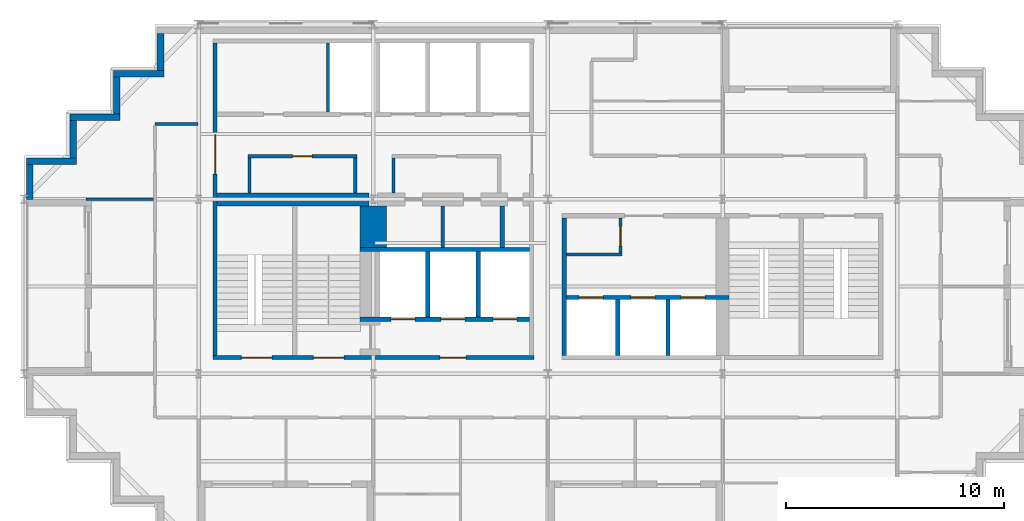
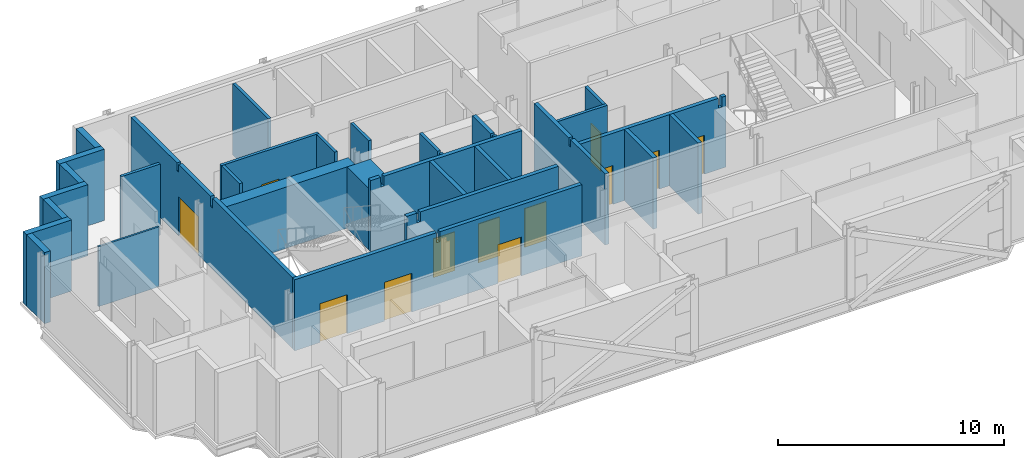
# One storey, part 5 of 9: 30 walls, 12 doors, 12 openings.
"""IFC4 building model written with IfcOpenShell, lengths in metres."""

from ifc_helpers import new_model, si_unit, direction, frame, frame_2d, origin, place, context, subcontext, project, spatial, polyline, rectangle, outline, extrude, material, layer, layer_set, type_object, element, fill, save


model = new_model("IFC4")

# Units and contexts
model_context = context("Model", 3, precision=1e-05, world=origin(), true_north=direction((0.0, 1.0)))
body_context = subcontext(model_context, "Body", "Model", "MODEL_VIEW")
ifc_project = project(units=[si_unit("LENGTHUNIT", "METRE"), si_unit("AREAUNIT", "SQUARE_METRE"), si_unit("VOLUMEUNIT", "CUBIC_METRE"), si_unit("PLANEANGLEUNIT", "RADIAN"), si_unit("MASSUNIT", "GRAM", prefix="KILO")], contexts=[model_context])

# Site, building, storey
site_placement = place(None, origin())
site = spatial("IfcSite", under=ifc_project, at=site_placement, CompositionType="ELEMENT")
building_placement = place(site_placement, origin())
building = spatial("IfcBuilding", under=site, at=building_placement, Name="Immortelle Media Tower", CompositionType="ELEMENT")
storey_placement = place(building_placement, frame((0.0, 0.0, 287.0)))
storey = spatial("IfcBuildingStorey", under=building, at=storey_placement, Name="L63", CompositionType="ELEMENT", Elevation=287.0)

# Wall
ifc_material_1 = material(Name="Fire-rated gypsum board", Category="gypsum")
ifc_layer_1 = layer(ifc_material_1, 0.02490234375)
ifc_material_2 = material(Name="Steel ASTM A653 SS Gr 50 stud frame with mineral wool", Category="steel")
ifc_layer_2 = layer(ifc_material_2, 0.10009765625)
ifc_layer_3 = layer(ifc_material_1, 0.02490234375)
ifc_layer_set_1 = layer_set([ifc_layer_1, ifc_layer_2, ifc_layer_3], Name="Steel ASTM A653 SS Gr 50 stud frame with mineral wool")
wall_type_1 = type_object("IfcWallType", Name="Core partition 150", PredefinedType="PARTITIONING", material=ifc_layer_set_1)
wall_1_placement = place(storey_placement, frame((10.324951171875, 16.300048828125, 0.0), z_axis=(0.0, 0.0, 1.0), x_axis=(0.0, 1.0, 0.0)))
element("IfcWall", 1, at=wall_1_placement, inside=storey, type_object=wall_type_1, Name="Core partition SW", PredefinedType="PARTITIONING", context=body_context, shape_type="SweptSolid", body=[
    extrude(rectangle(XDim=1.599853515625, YDim=0.14990234375, at=frame_2d((0.7998046875, 0.0))), origin(), (0.0, 0.0, 1.0), 3.85009765625),
])

# Wall, opening, door
wall_2_placement = place(storey_placement, frame((10.25, 17.97509765625, 0.0), z_axis=(0.0, 0.0, 1.0), x_axis=(1.0, 0.0, 0.0)))
wall_2 = element("IfcWall", 2, at=wall_2_placement, inside=storey, type_object=wall_type_1, Name="Core partition SW", PredefinedType="PARTITIONING", context=body_context, shape_type="SweptSolid", body=[
    extrude(rectangle(XDim=5.0, YDim=0.14990234375, at=frame_2d((2.5, 0.0))), origin(), (0.0, 0.0, 1.0), 3.85009765625),
])
opening_1_placement = place(wall_2_placement, frame((2.949951171875, 0.0, 0.0), z_axis=(0.0, 0.0, 1.0), x_axis=(-1.0, 0.0, 0.0)))
opening_1 = element("IfcOpeningElement", 3, at=opening_1_placement, cuts=wall_2, Name="Opening X5-K004", PredefinedType="OPENING", context=body_context, shape_type="SweptSolid", body=[
    extrude(rectangle(XDim=0.89990234375, YDim=2.10009765625, at=frame_2d((0.449951171875, 1.050048828125))), frame((0.0, 0.0849609375, 0.0), z_axis=(0.0, -1.0, 0.0), x_axis=(1.0, 0.0, 0.0)), (0.0, 0.0, 1.0), 0.169921875),
])
ifc_material_3 = material(Name="Timber", Category="wood")
door_type_1 = type_object("IfcDoorType", Name="Room door 900 x 2100", OperationType="NOTDEFINED", PredefinedType="NOTDEFINED", material=ifc_material_3)
door_1_placement = place(opening_1_placement, origin())
door_1 = element("IfcDoor", 4, at=door_1_placement, inside=storey, type_object=door_type_1, Name="Room X5-K004", OperationType="SINGLE_SWING_RIGHT", OverallHeight=2.10009765625, OverallWidth=0.89990234375, PredefinedType="NOTDEFINED", context=body_context, shape_type="SweptSolid", body=[
    extrude(rectangle(XDim=0.89990234375, YDim=2.10009765625, at=frame_2d((0.449951171875, 1.050048828125))), frame((0.0, 0.02490234375, 0.0), z_axis=(0.0, -1.0, 0.0), x_axis=(1.0, 0.0, 0.0)), (0.0, 0.0, 1.0), 0.050048828125),
])
fill(opening_1, door_1)

# Walls
wall_3_placement = place(storey_placement, frame((13.925048828125, 20.0, 0.0), z_axis=(0.0, 0.0, 1.0), x_axis=(0.0, 1.0, 0.0)))
element("IfcWall", 5, at=wall_3_placement, inside=storey, type_object=wall_type_1, Name="Core partition SW", PredefinedType="PARTITIONING", context=body_context, shape_type="SweptSolid", body=[
    extrude(rectangle(XDim=3.14990234375, YDim=0.14990234375, at=frame_2d((1.574951171875, 0.0))), origin(), (0.0, 0.0, 1.0), 3.85009765625),
])
for number, where, z_axis, x_axis, name in (
    (6, (15.175048828125, 16.300048828125, 0.0), (0.0, 0.0, 1.0), (0.0, 1.0, 0.0), "Core partition SW"),
    (7, (16.925048828125, 16.300048828125, 0.0), (0.0, 0.0, 1.0), (0.0, 1.0, 0.0), "Core partition SW"),
):
    element("IfcWall", number, at=place(storey_placement, frame(where, z_axis=z_axis, x_axis=x_axis)), inside=storey, type_object=wall_type_1, Name=name, PredefinedType="PARTITIONING", context=body_context, shape_type="SweptSolid", body=[
        extrude(rectangle(XDim=1.599853515625, YDim=0.14990234375, at=frame_2d((0.7998046875, 0.0))), origin(), (0.0, 0.0, 1.0), 3.85009765625),
    ])
wall_4_placement = place(storey_placement, frame((19.175048828125, 13.800048828125, 0.0), z_axis=(0.0, 0.0, 1.0), x_axis=(0.0, 1.0, 0.0)))
element("IfcWall", 8, at=wall_4_placement, inside=storey, type_object=wall_type_1, Name="Core partition SW", PredefinedType="PARTITIONING", context=body_context, shape_type="SweptSolid", body=[
    extrude(outline(polyline([(0.0, 0.0), (1.89990234375, 0.0), (1.89990234375, 3.85009765625), (0.27490234375, 3.85009765625), (0.27392578125, 3.43994140625), (0.1259765625, 3.43994140625), (0.125, 3.85009765625), (0.0, 3.85009765625), (0.0, 0.0)])), frame((0.0, 0.074951171875, 0.0), z_axis=(0.0, -1.0, 0.0), x_axis=(1.0, 0.0, 0.0)), (0.0, 0.0, 1.0), 0.14990234375),
])
wall_5_placement = place(storey_placement, frame((24.85009765625, 13.47509765625, 0.0), z_axis=(0.0, 0.0, 1.0), x_axis=(1.0, 0.0, 0.0)))
element("IfcWall", 9, at=wall_5_placement, inside=storey, type_object=wall_type_1, Name="Core partition SE", PredefinedType="PARTITIONING", context=body_context, shape_type="SweptSolid", body=[
    extrude(rectangle(XDim=2.5498046875, YDim=0.14990234375, at=frame_2d((1.27490234375, 0.0))), origin(), (0.0, 0.0, 1.0), 3.85009765625),
])

# Wall, opening, door
wall_6_placement = place(storey_placement, frame((27.324951171875, 13.550048828125, 0.0), z_axis=(0.0, 0.0, 1.0), x_axis=(0.0, 1.0, 0.0)))
wall_6 = element("IfcWall", 10, at=wall_6_placement, inside=storey, type_object=wall_type_1, Name="Core partition SE", PredefinedType="PARTITIONING", context=body_context, shape_type="SweptSolid", body=[
    extrude(rectangle(XDim=1.599853515625, YDim=0.14990234375, at=frame_2d((0.7998046875, 0.0))), origin(), (0.0, 0.0, 1.0), 3.85009765625),
])
opening_2_placement = place(wall_6_placement, frame((0.300048828125, 0.0, 0.0)))
opening_2 = element("IfcOpeningElement", 11, at=opening_2_placement, cuts=wall_6, Name="Opening X5-K021", PredefinedType="OPENING", context=body_context, shape_type="SweptSolid", body=[
    extrude(rectangle(XDim=0.89990234375, YDim=2.10009765625, at=frame_2d((0.449951171875, 1.050048828125))), frame((0.0, 0.0849609375, 0.0), z_axis=(0.0, -1.0, 0.0), x_axis=(1.0, 0.0, 0.0)), (0.0, 0.0, 1.0), 0.169921875),
])
ifc_material_4 = material(Name="Galvanised steel door leaf and frame ASTM A653", Category="steel")
door_type_2 = type_object("IfcDoorType", Name="Service door 900 x 2100", OperationType="NOTDEFINED", PredefinedType="NOTDEFINED", material=ifc_material_4)
door_2_placement = place(opening_2_placement, origin())
door_2 = element("IfcDoor", 12, at=door_2_placement, inside=storey, type_object=door_type_2, Name="Service X5-K021", OperationType="SINGLE_SWING_LEFT", OverallHeight=2.10009765625, OverallWidth=0.89990234375, PredefinedType="NOTDEFINED", context=body_context, shape_type="SweptSolid", body=[
    extrude(rectangle(XDim=0.89990234375, YDim=2.10009765625, at=frame_2d((0.449951171875, 1.050048828125))), frame((0.0, 0.02490234375, 0.0), z_axis=(0.0, -1.0, 0.0), x_axis=(1.0, 0.0, 0.0)), (0.0, 0.0, 1.0), 0.050048828125),
])
fill(opening_2, door_2)

# Wall, openings, doors
ifc_layer_4 = layer(ifc_material_1, 0.03759765625)
ifc_layer_5 = layer(ifc_material_2, 0.125)
ifc_layer_6 = layer(ifc_material_1, 0.03759765625)
ifc_layer_set_2 = layer_set([ifc_layer_4, ifc_layer_5, ifc_layer_6], Name="Steel ASTM A653 SS Gr 50 stud frame with mineral wool")
wall_type_2 = type_object("IfcWallType", Name="Core shaft wall 200", PredefinedType="PARTITIONING", material=ifc_layer_set_2)
wall_7_placement = place(storey_placement, frame((15.39990234375, 10.5, 0.0), z_axis=(0.0, 0.0, 1.0), x_axis=(1.0, 0.0, 0.0)))
wall_7 = element("IfcWall", 13, at=wall_7_placement, inside=storey, type_object=wall_type_2, Name="Core shaft wall SW", PredefinedType="PARTITIONING", context=body_context, shape_type="SweptSolid", body=[
    extrude(outline(polyline([(0.0, 0.0), (7.75, 0.0), (7.75, 3.85009765625), (0.6875, 3.85009765625), (0.6865234375, 3.318115234375), (0.513427734375, 3.318115234375), (0.512451171875, 3.85009765625), (0.0, 3.85009765625), (0.0, 0.0)])), frame((0.0, 0.10009765625, 0.0), z_axis=(0.0, -1.0, 0.0), x_axis=(1.0, 0.0, 0.0)), (0.0, 0.0, 1.0), 0.199951171875),
])
opening_3_placement = place(wall_7_placement, frame((1.39990234375, 0.0, 0.0)))
opening_3 = element("IfcOpeningElement", 14, at=opening_3_placement, cuts=wall_7, Name="Opening LD", PredefinedType="OPENING", context=body_context, shape_type="SweptSolid", body=[
    extrude(rectangle(XDim=1.10009765625, YDim=2.10009765625, at=frame_2d((0.550048828125, 1.050048828125))), frame((0.0, 0.10986328125, 0.0), z_axis=(0.0, -1.0, 0.0), x_axis=(1.0, 0.0, 0.0)), (0.0, 0.0, 1.0), 0.219970703125),
])
opening_4_placement = place(wall_7_placement, frame((3.699951171875, 0.0, 0.0)))
opening_4 = element("IfcOpeningElement", 15, at=opening_4_placement, cuts=wall_7, Name="Opening LD", PredefinedType="OPENING", context=body_context, shape_type="SweptSolid", body=[
    extrude(rectangle(XDim=1.10009765625, YDim=2.10009765625, at=frame_2d((0.550048828125, 1.050048828125))), frame((0.0, 0.10986328125, 0.0), z_axis=(0.0, -1.0, 0.0), x_axis=(1.0, 0.0, 0.0)), (0.0, 0.0, 1.0), 0.219970703125),
])
opening_5_placement = place(wall_7_placement, frame((6.074951171875, 0.0, 0.0)))
opening_5 = element("IfcOpeningElement", 16, at=opening_5_placement, cuts=wall_7, Name="Opening LD", PredefinedType="OPENING", context=body_context, shape_type="SweptSolid", body=[
    extrude(rectangle(XDim=1.10009765625, YDim=2.10009765625, at=frame_2d((0.550048828125, 1.050048828125))), frame((0.0, 0.10986328125, 0.0), z_axis=(0.0, -1.0, 0.0), x_axis=(1.0, 0.0, 0.0)), (0.0, 0.0, 1.0), 0.219970703125),
])
ifc_material_5 = material(Name="Stainless steel AISI 304", Category="steel")
door_type_3 = type_object("IfcDoorType", Name="Landing door 1100 x 2100", OperationType="SLIDING_TO_LEFT", PredefinedType="NOTDEFINED", material=ifc_material_5)
door_3_placement = place(opening_3_placement, origin())
door_3 = element("IfcDoor", 17, at=door_3_placement, inside=storey, type_object=door_type_3, Name="Landing door FF1 L63", OperationType="SLIDING_TO_LEFT", OverallHeight=2.10009765625, OverallWidth=1.10009765625, PredefinedType="NOTDEFINED", context=body_context, shape_type="SweptSolid", body=[
    extrude(rectangle(XDim=1.10009765625, YDim=2.10009765625, at=frame_2d((0.550048828125, 1.050048828125))), frame((0.0, 0.02490234375, 0.0), z_axis=(0.0, -1.0, 0.0), x_axis=(1.0, 0.0, 0.0)), (0.0, 0.0, 1.0), 0.050048828125),
])
fill(opening_3, door_3)
door_4_placement = place(opening_4_placement, origin())
door_4 = element("IfcDoor", 18, at=door_4_placement, inside=storey, type_object=door_type_3, Name="Landing door FF2 L63", OperationType="SLIDING_TO_LEFT", OverallHeight=2.10009765625, OverallWidth=1.10009765625, PredefinedType="NOTDEFINED", context=body_context, shape_type="SweptSolid", body=[
    extrude(rectangle(XDim=1.10009765625, YDim=2.10009765625, at=frame_2d((0.550048828125, 1.050048828125))), frame((0.0, 0.02490234375, 0.0), z_axis=(0.0, -1.0, 0.0), x_axis=(1.0, 0.0, 0.0)), (0.0, 0.0, 1.0), 0.050048828125),
])
fill(opening_4, door_4)
door_5_placement = place(opening_5_placement, origin())
door_5 = element("IfcDoor", 19, at=door_5_placement, inside=storey, type_object=door_type_3, Name="Landing door FF3 L63", OperationType="SLIDING_TO_LEFT", OverallHeight=2.10009765625, OverallWidth=1.10009765625, PredefinedType="NOTDEFINED", context=body_context, shape_type="SweptSolid", body=[
    extrude(rectangle(XDim=1.10009765625, YDim=2.10009765625, at=frame_2d((0.550048828125, 1.050048828125))), frame((0.0, 0.02490234375, 0.0), z_axis=(0.0, -1.0, 0.0), x_axis=(1.0, 0.0, 0.0)), (0.0, 0.0, 1.0), 0.050048828125),
])
fill(opening_5, door_5)

# Walls
wall_8_placement = place(storey_placement, frame((15.39990234375, 13.699951171875, 0.0), z_axis=(0.0, 0.0, 1.0), x_axis=(1.0, 0.0, 0.0)))
element("IfcWall", 20, at=wall_8_placement, inside=storey, type_object=wall_type_2, Name="Core shaft wall SW", PredefinedType="PARTITIONING", context=body_context, shape_type="SweptSolid", body=[
    extrude(outline(polyline([(0.0, 0.0), (7.75, 0.0), (7.75, 3.85009765625), (0.6875, 3.85009765625), (0.6865234375, 3.318115234375), (0.513427734375, 3.318115234375), (0.512451171875, 3.85009765625), (0.0, 3.85009765625), (0.0, 0.0)])), frame((0.0, 0.10009765625, 0.0), z_axis=(0.0, -1.0, 0.0), x_axis=(1.0, 0.0, 0.0)), (0.0, 0.0, 1.0), 0.199951171875),
])
for number, where, z_axis, x_axis, name in (
    (21, (18.5, 10.60009765625, 0.0), (0.0, 0.0, 1.0), (0.0, 1.0, 0.0), "Core shaft wall SW"),
    (22, (20.800048828125, 10.60009765625, 0.0), (0.0, 0.0, 1.0), (0.0, 1.0, 0.0), "Core shaft wall SW"),
):
    element("IfcWall", number, at=place(storey_placement, frame(where, z_axis=z_axis, x_axis=x_axis)), inside=storey, type_object=wall_type_2, Name=name, PredefinedType="PARTITIONING", context=body_context, shape_type="SweptSolid", body=[
        extrude(rectangle(XDim=3.0, YDim=0.199951171875, at=frame_2d((1.5, 0.0))), origin(), (0.0, 0.0, 1.0), 3.85009765625),
    ])
wall_9_placement = place(storey_placement, frame((21.89990234375, 13.800048828125, 0.0), z_axis=(0.0, 0.0, 1.0), x_axis=(0.0, 1.0, 0.0)))
element("IfcWall", 23, at=wall_9_placement, inside=storey, type_object=wall_type_2, Name="Core shaft wall SW", PredefinedType="PARTITIONING", context=body_context, shape_type="SweptSolid", body=[
    extrude(outline(polyline([(0.0, 0.0), (1.89990234375, 0.0), (1.89990234375, 3.85009765625), (0.27490234375, 3.85009765625), (0.27392578125, 3.43994140625), (0.1259765625, 3.43994140625), (0.125, 3.85009765625), (0.0, 3.85009765625), (0.0, 0.0)])), frame((0.0, 0.10009765625, 0.0), z_axis=(0.0, -1.0, 0.0), x_axis=(1.0, 0.0, 0.0)), (0.0, 0.0, 1.0), 0.199951171875),
])
wall_10_placement = place(storey_placement, frame((24.75, 8.85009765625, 0.0), z_axis=(0.0, 0.0, 1.0), x_axis=(0.0, 1.0, 0.0)))
element("IfcWall", 24, at=wall_10_placement, inside=storey, type_object=wall_type_2, Name="Core shaft wall SE", PredefinedType="PARTITIONING", context=body_context, shape_type="SweptSolid", body=[
    extrude(outline(polyline([(0.0, 0.0), (6.2998046875, 0.0), (6.300048828125, 3.85009765625), (3.22509765625, 3.85009765625), (3.22412109375, 3.43994140625), (3.075927734375, 3.43994140625), (3.074951171875, 3.85009765625), (0.0, 3.85009765625), (0.0, 0.0)])), frame((0.0, 0.10009765625, 0.0), z_axis=(0.0, -1.0, 0.0), x_axis=(1.0, 0.0, 0.0)), (0.0, 0.0, 1.0), 0.199951171875),
])

# Wall, openings, doors
wall_11_placement = place(storey_placement, frame((24.85009765625, 11.5, 0.0), z_axis=(0.0, 0.0, 1.0), x_axis=(1.0, 0.0, 0.0)))
wall_11 = element("IfcWall", 25, at=wall_11_placement, inside=storey, type_object=wall_type_2, Name="Core shaft wall SE", PredefinedType="PARTITIONING", context=body_context, shape_type="SweptSolid", body=[
    extrude(outline(polyline([(0.0, 0.0), (7.449951171875, 0.0), (7.449951171875, 3.85009765625), (7.237548828125, 3.85009765625), (7.236572265625, 3.318115234375), (7.0634765625, 3.318115234375), (7.0625, 3.85009765625), (0.0, 3.85009765625), (0.0, 0.0)])), frame((0.0, 0.10009765625, 0.0), z_axis=(0.0, -1.0, 0.0), x_axis=(1.0, 0.0, 0.0)), (0.0, 0.0, 1.0), 0.199951171875),
])
opening_6_placement = place(wall_11_placement, frame((0.574951171875, 0.0, 0.0)))
opening_6 = element("IfcOpeningElement", 26, at=opening_6_placement, cuts=wall_11, Name="Opening LD", PredefinedType="OPENING", context=body_context, shape_type="SweptSolid", body=[
    extrude(rectangle(XDim=1.10009765625, YDim=2.10009765625, at=frame_2d((0.550048828125, 1.050048828125))), frame((0.0, 0.10986328125, 0.0), z_axis=(0.0, -1.0, 0.0), x_axis=(1.0, 0.0, 0.0)), (0.0, 0.0, 1.0), 0.219970703125),
])
opening_7_placement = place(wall_11_placement, frame((2.949951171875, 0.0, 0.0)))
opening_7 = element("IfcOpeningElement", 27, at=opening_7_placement, cuts=wall_11, Name="Opening LD", PredefinedType="OPENING", context=body_context, shape_type="SweptSolid", body=[
    extrude(rectangle(XDim=1.10009765625, YDim=2.10009765625, at=frame_2d((0.550048828125, 1.050048828125))), frame((0.0, 0.10986328125, 0.0), z_axis=(0.0, -1.0, 0.0), x_axis=(1.0, 0.0, 0.0)), (0.0, 0.0, 1.0), 0.219970703125),
])
opening_8_placement = place(wall_11_placement, frame((5.25, 0.0, 0.0)))
opening_8 = element("IfcOpeningElement", 28, at=opening_8_placement, cuts=wall_11, Name="Opening LD", PredefinedType="OPENING", context=body_context, shape_type="SweptSolid", body=[
    extrude(rectangle(XDim=1.10009765625, YDim=2.10009765625, at=frame_2d((0.550048828125, 1.050048828125))), frame((0.0, 0.10986328125, 0.0), z_axis=(0.0, -1.0, 0.0), x_axis=(1.0, 0.0, 0.0)), (0.0, 0.0, 1.0), 0.219970703125),
])
door_6_placement = place(opening_6_placement, origin())
door_6 = element("IfcDoor", 29, at=door_6_placement, inside=storey, type_object=door_type_3, Name="Landing door HS1 L63", OperationType="SLIDING_TO_LEFT", OverallHeight=2.10009765625, OverallWidth=1.10009765625, PredefinedType="NOTDEFINED", context=body_context, shape_type="SweptSolid", body=[
    extrude(rectangle(XDim=1.10009765625, YDim=2.10009765625, at=frame_2d((0.550048828125, 1.050048828125))), frame((0.0, 0.02490234375, 0.0), z_axis=(0.0, -1.0, 0.0), x_axis=(1.0, 0.0, 0.0)), (0.0, 0.0, 1.0), 0.050048828125),
])
fill(opening_6, door_6)
door_7_placement = place(opening_7_placement, origin())
door_7 = element("IfcDoor", 30, at=door_7_placement, inside=storey, type_object=door_type_3, Name="Landing door HS2 L63", OperationType="SLIDING_TO_LEFT", OverallHeight=2.10009765625, OverallWidth=1.10009765625, PredefinedType="NOTDEFINED", context=body_context, shape_type="SweptSolid", body=[
    extrude(rectangle(XDim=1.10009765625, YDim=2.10009765625, at=frame_2d((0.550048828125, 1.050048828125))), frame((0.0, 0.02490234375, 0.0), z_axis=(0.0, -1.0, 0.0), x_axis=(1.0, 0.0, 0.0)), (0.0, 0.0, 1.0), 0.050048828125),
])
fill(opening_7, door_7)
door_8_placement = place(opening_8_placement, origin())
door_8 = element("IfcDoor", 31, at=door_8_placement, inside=storey, type_object=door_type_3, Name="Landing door HS3 L63", OperationType="SLIDING_TO_LEFT", OverallHeight=2.10009765625, OverallWidth=1.10009765625, PredefinedType="NOTDEFINED", context=body_context, shape_type="SweptSolid", body=[
    extrude(rectangle(XDim=1.10009765625, YDim=2.10009765625, at=frame_2d((0.550048828125, 1.050048828125))), frame((0.0, 0.02490234375, 0.0), z_axis=(0.0, -1.0, 0.0), x_axis=(1.0, 0.0, 0.0)), (0.0, 0.0, 1.0), 0.050048828125),
])
fill(opening_8, door_8)

# Walls
for number, where, z_axis, x_axis, name in (
    (32, (27.199951171875, 8.85009765625, 0.0), (0.0, 0.0, 1.0), (0.0, 1.0, 0.0), "Core shaft wall SE"),
    (33, (29.5, 8.85009765625, 0.0), (0.0, 0.0, 1.0), (0.0, 1.0, 0.0), "Core shaft wall SE"),
):
    element("IfcWall", number, at=place(storey_placement, frame(where, z_axis=z_axis, x_axis=x_axis)), inside=storey, type_object=wall_type_2, Name=name, PredefinedType="PARTITIONING", context=body_context, shape_type="SweptSolid", body=[
        extrude(rectangle(XDim=2.5498046875, YDim=0.199951171875, at=frame_2d((1.27490234375, 0.0))), origin(), (0.0, 0.0, 1.0), 3.85009765625),
    ])
ifc_layer_7 = layer(ifc_material_1, 0.012451171875)
ifc_layer_8 = layer(ifc_material_2, 0.125)
ifc_layer_9 = layer(ifc_material_1, 0.012451171875)
ifc_layer_set_3 = layer_set([ifc_layer_7, ifc_layer_8, ifc_layer_9], Name="Steel ASTM A653 SS Gr 50 stud frame with mineral wool")
wall_type_3 = type_object("IfcWallType", Name="Corridor wall 150", PredefinedType="PARTITIONING", material=ifc_layer_set_3)
wall_12_placement = place(storey_placement, frame((6.0, 19.449951171875, 0.0), z_axis=(0.0, 0.0, 1.0), x_axis=(1.0, 0.0, 0.0)))
element("IfcWall", 34, at=wall_12_placement, inside=storey, type_object=wall_type_3, Name="Partition L63-031", PredefinedType="PARTITIONING", context=body_context, shape_type="SweptSolid", body=[
    extrude(rectangle(XDim=1.969970703125, YDim=0.14990234375, at=frame_2d((0.98486328125, 0.0))), origin(), (0.0, 0.0, 1.0), 3.85009765625),
])
ifc_material_6 = material(Name="Pale aluminium cladding panel", Category="aluminium")
ifc_layer_10 = layer(ifc_material_6, 0.030029296875)
ifc_layer_11 = layer(ifc_material_2, 0.257568359375)
ifc_material_7 = material(Name="Moisture-resistant gypsum board", Category="gypsum")
ifc_layer_12 = layer(ifc_material_7, 0.012451171875)
ifc_layer_set_4 = layer_set([ifc_layer_10, ifc_layer_11, ifc_layer_12], Name="Steel ASTM A653 SS Gr 50 stud frame with mineral wool")
wall_type_4 = type_object("IfcWallType", Name="Facade wall 300", PredefinedType="SOLIDWALL", material=ifc_layer_set_4)
wall_13_placement = place(storey_placement, frame((6.25, 23.60009765625, 0.0), z_axis=(0.0, 0.0, 1.0), x_axis=(0.0, -1.0, 0.0)))
element("IfcWall", 35, at=wall_13_placement, inside=storey, type_object=wall_type_4, Name="Facade wall L63 W21", PredefinedType="SOLIDWALL", context=body_context, shape_type="SweptSolid", body=[
    extrude(rectangle(XDim=1.7001953125, YDim=0.300048828125, at=frame_2d((0.85009765625, 0.0))), origin(), (0.0, 0.0, 1.0), 3.85009765625),
])
wall_14_placement = place(storey_placement, frame((6.39990234375, 21.75, 0.0), z_axis=(0.0, 0.0, 1.0), x_axis=(-1.0, 0.0, 0.0)))
element("IfcWall", 36, at=wall_14_placement, inside=storey, type_object=wall_type_4, Name="Facade wall L63 N22", PredefinedType="SOLIDWALL", context=body_context, shape_type="SweptSolid", body=[
    extrude(rectangle(XDim=2.2998046875, YDim=0.300048828125, at=frame_2d((1.14990234375, 0.0))), origin(), (0.0, 0.0, 1.0), 3.85009765625),
])
wall_15_placement = place(storey_placement, frame((4.25, 21.60009765625, 0.0), z_axis=(0.0, 0.0, 1.0), x_axis=(0.0, -1.0, 0.0)))
element("IfcWall", 37, at=wall_15_placement, inside=storey, type_object=wall_type_4, Name="Facade wall L63 W23", PredefinedType="SOLIDWALL", context=body_context, shape_type="SweptSolid", body=[
    extrude(rectangle(XDim=1.7001953125, YDim=0.300048828125, at=frame_2d((0.85009765625, 0.0))), origin(), (0.0, 0.0, 1.0), 3.85009765625),
])
wall_16_placement = place(storey_placement, frame((4.39990234375, 19.75, 0.0), z_axis=(0.0, 0.0, 1.0), x_axis=(-1.0, 0.0, 0.0)))
element("IfcWall", 38, at=wall_16_placement, inside=storey, type_object=wall_type_4, Name="Facade wall L63 N24", PredefinedType="SOLIDWALL", context=body_context, shape_type="SweptSolid", body=[
    extrude(rectangle(XDim=2.2998046875, YDim=0.300048828125, at=frame_2d((1.14990234375, 0.0))), origin(), (0.0, 0.0, 1.0), 3.85009765625),
])
wall_17_placement = place(storey_placement, frame((2.25, 19.60009765625, 0.0), z_axis=(0.0, 0.0, 1.0), x_axis=(0.0, -1.0, 0.0)))
element("IfcWall", 39, at=wall_17_placement, inside=storey, type_object=wall_type_4, Name="Facade wall L63 W25", PredefinedType="SOLIDWALL", context=body_context, shape_type="SweptSolid", body=[
    extrude(rectangle(XDim=1.7001953125, YDim=0.300048828125, at=frame_2d((0.85009765625, 0.0))), origin(), (0.0, 0.0, 1.0), 3.85009765625),
])
wall_18_placement = place(storey_placement, frame((2.39990234375, 17.75, 0.0), z_axis=(0.0, 0.0, 1.0), x_axis=(-1.0, 0.0, 0.0)))
element("IfcWall", 40, at=wall_18_placement, inside=storey, type_object=wall_type_4, Name="Facade wall L63 N26", PredefinedType="SOLIDWALL", context=body_context, shape_type="SweptSolid", body=[
    extrude(rectangle(XDim=2.2998046875, YDim=0.300048828125, at=frame_2d((1.14990234375, 0.0))), origin(), (0.0, 0.0, 1.0), 3.85009765625),
])
wall_19_placement = place(storey_placement, frame((0.25, 17.60009765625, 0.0), z_axis=(0.0, 0.0, 1.0), x_axis=(0.0, -1.0, 0.0)))
element("IfcWall", 41, at=wall_19_placement, inside=storey, type_object=wall_type_4, Name="Facade wall L63 W27", PredefinedType="SOLIDWALL", context=body_context, shape_type="SweptSolid", body=[
    extrude(rectangle(XDim=1.60009765625, YDim=0.300048828125, at=frame_2d((0.800048828125, 0.0))), origin(), (0.0, 0.0, 1.0), 3.85009765625),
])
ifc_material_8 = material(Name="Gypsum board", Category="gypsum")
ifc_layer_13 = layer(ifc_material_8, 0.012451171875)
ifc_layer_14 = layer(ifc_material_2, 0.074951171875)
ifc_layer_15 = layer(ifc_material_8, 0.012451171875)
ifc_layer_set_5 = layer_set([ifc_layer_13, ifc_layer_14, ifc_layer_15], Name="Steel ASTM A653 SS Gr 50 stud frame with mineral wool")
wall_type_5 = type_object("IfcWallType", Name="Partition 100", PredefinedType="PARTITIONING", material=ifc_layer_set_5)
wall_20_placement = place(storey_placement, frame((2.830078125, 16.0, 0.0), z_axis=(0.0, 0.0, 1.0), x_axis=(1.0, 0.0, 0.0)))
element("IfcWall", 42, at=wall_20_placement, inside=storey, type_object=wall_type_5, Name="Partition L63-022", PredefinedType="PARTITIONING", context=body_context, shape_type="SweptSolid", body=[
    extrude(rectangle(XDim=3.094970703125, YDim=0.10009765625, at=frame_2d((1.54736328125, 0.0))), origin(), (0.0, 0.0, 1.0), 3.238037109375),
])
ifc_material_9 = material(Name="Concrete C60", Category="concrete")
ifc_layer_16 = layer(ifc_material_9, 1.199951171875)
ifc_layer_set_6 = layer_set([ifc_layer_16], Name="Concrete C60")
wall_type_6 = type_object("IfcWallType", Name="Stair shaft wall 1200", PredefinedType="PARTITIONING", material=ifc_layer_set_6)
wall_21_placement = place(storey_placement, frame((16.0, 13.800048828125, 0.0), z_axis=(0.0, 0.0, 1.0), x_axis=(0.0, 1.0, 0.0)))
element("IfcWall", 43, at=wall_21_placement, inside=storey, type_object=wall_type_6, Name="Stair shaft wall SW", PredefinedType="PARTITIONING", context=body_context, shape_type="SweptSolid", body=[
    extrude(rectangle(XDim=1.89990234375, YDim=1.199951171875, at=frame_2d((0.949951171875, 0.0))), origin(), (0.0, 0.0, 1.0), 3.318115234375),
])

# Wall, openings, doors
ifc_layer_17 = layer(ifc_material_9, 0.199951171875)
ifc_layer_set_7 = layer_set([ifc_layer_17], Name="Concrete C60")
wall_type_7 = type_object("IfcWallType", Name="Stair shaft wall 200", PredefinedType="PARTITIONING", material=ifc_layer_set_7)
wall_22_placement = place(storey_placement, frame((8.64990234375, 8.75, 0.0), z_axis=(0.0, 0.0, 1.0), x_axis=(1.0, 0.0, 0.0)))
wall_22 = element("IfcWall", 44, at=wall_22_placement, inside=storey, type_object=wall_type_7, Name="Stair shaft wall SW", PredefinedType="PARTITIONING", context=body_context, shape_type="SweptSolid", body=[
    extrude(outline(polyline([(0.0, 0.0), (14.7001953125, 0.0), (14.699951171875, 3.85009765625), (7.4375, 3.85009765625), (7.4365234375, 3.318115234375), (7.263427734375, 3.318115234375), (7.262451171875, 3.85009765625), (0.0, 3.85009765625), (0.0, 0.0)])), frame((0.0, 0.10009765625, 0.0), z_axis=(0.0, -1.0, 0.0), x_axis=(1.0, 0.0, 0.0)), (0.0, 0.0, 1.0), 0.199951171875),
])
opening_9_placement = place(wall_22_placement, frame((1.300048828125, 0.0, 0.0)))
opening_9 = element("IfcOpeningElement", 45, at=opening_9_placement, cuts=wall_22, Name="Opening X5-K002", PredefinedType="OPENING", context=body_context, shape_type="SweptSolid", body=[
    extrude(rectangle(XDim=1.39990234375, YDim=2.10009765625, at=frame_2d((0.699951171875, 1.050048828125))), frame((0.0, 0.10986328125, 0.0), z_axis=(0.0, -1.0, 0.0), x_axis=(1.0, 0.0, 0.0)), (0.0, 0.0, 1.0), 0.219970703125),
])
opening_10_placement = place(wall_22_placement, frame((4.60009765625, 0.0, 0.0)))
opening_10 = element("IfcOpeningElement", 46, at=opening_10_placement, cuts=wall_22, Name="Opening X5-K005", PredefinedType="OPENING", context=body_context, shape_type="SweptSolid", body=[
    extrude(rectangle(XDim=1.39990234375, YDim=2.10009765625, at=frame_2d((0.699951171875, 1.050048828125))), frame((0.0, 0.10986328125, 0.0), z_axis=(0.0, -1.0, 0.0), x_axis=(1.0, 0.0, 0.0)), (0.0, 0.0, 1.0), 0.219970703125),
])
opening_11_placement = place(wall_22_placement, frame((10.39990234375, 0.0, 0.0)))
opening_11 = element("IfcOpeningElement", 47, at=opening_11_placement, cuts=wall_22, Name="Opening X5-K012", PredefinedType="OPENING", context=body_context, shape_type="SweptSolid", body=[
    extrude(rectangle(XDim=1.199951171875, YDim=2.10009765625, at=frame_2d((0.60009765625, 1.050048828125))), frame((0.0, 0.10986328125, 0.0), z_axis=(0.0, -1.0, 0.0), x_axis=(1.0, 0.0, 0.0)), (0.0, 0.0, 1.0), 0.219970703125),
])
door_type_4 = type_object("IfcDoorType", Name="Fire-fighting lobby door 1200 x 2100", OperationType="NOTDEFINED", PredefinedType="NOTDEFINED", material=ifc_material_4)
door_9_placement = place(opening_11_placement, origin())
door_9 = element("IfcDoor", 48, at=door_9_placement, inside=storey, type_object=door_type_4, Name="Fire-fighting lobby X5-K012", OperationType="SINGLE_SWING_LEFT", OverallHeight=2.10009765625, OverallWidth=1.199951171875, PredefinedType="NOTDEFINED", context=body_context, shape_type="SweptSolid", body=[
    extrude(rectangle(XDim=1.199951171875, YDim=2.10009765625, at=frame_2d((0.60009765625, 1.050048828125))), frame((0.0, 0.02490234375, 0.0), z_axis=(0.0, -1.0, 0.0), x_axis=(1.0, 0.0, 0.0)), (0.0, 0.0, 1.0), 0.050048828125),
])
fill(opening_11, door_9)
door_type_5 = type_object("IfcDoorType", Name="Stair door 1400 x 2100", OperationType="DOUBLE_DOOR_SINGLE_SWING", PredefinedType="NOTDEFINED", material=ifc_material_4)
door_10_placement = place(opening_9_placement, origin())
door_10 = element("IfcDoor", 49, at=door_10_placement, inside=storey, type_object=door_type_5, Name="Stair X5-K002", OperationType="DOUBLE_DOOR_SINGLE_SWING", OverallHeight=2.10009765625, OverallWidth=1.39990234375, PredefinedType="NOTDEFINED", context=body_context, shape_type="SweptSolid", body=[
    extrude(rectangle(XDim=1.39990234375, YDim=2.10009765625, at=frame_2d((0.699951171875, 1.050048828125))), frame((0.0, 0.02490234375, 0.0), z_axis=(0.0, -1.0, 0.0), x_axis=(1.0, 0.0, 0.0)), (0.0, 0.0, 1.0), 0.050048828125),
])
fill(opening_9, door_10)
door_11_placement = place(opening_10_placement, origin())
door_11 = element("IfcDoor", 50, at=door_11_placement, inside=storey, type_object=door_type_5, Name="Stair X5-K005", OperationType="DOUBLE_DOOR_SINGLE_SWING", OverallHeight=2.10009765625, OverallWidth=1.39990234375, PredefinedType="NOTDEFINED", context=body_context, shape_type="SweptSolid", body=[
    extrude(rectangle(XDim=1.39990234375, YDim=2.10009765625, at=frame_2d((0.699951171875, 1.050048828125))), frame((0.0, 0.02490234375, 0.0), z_axis=(0.0, -1.0, 0.0), x_axis=(1.0, 0.0, 0.0)), (0.0, 0.0, 1.0), 0.050048828125),
])
fill(opening_10, door_11)

# Wall, opening, door
wall_23_placement = place(storey_placement, frame((8.75, 8.85009765625, 0.0), z_axis=(0.0, 0.0, 1.0), x_axis=(0.0, 1.0, 0.0)))
wall_23 = element("IfcWall", 51, at=wall_23_placement, inside=storey, type_object=wall_type_7, Name="Stair shaft wall SW", PredefinedType="PARTITIONING", context=body_context, shape_type="SweptSolid", body=[
    extrude(outline(polyline([(0.0, 0.0), (14.2998046875, 0.0), (14.300048828125, 3.85009765625), (10.22509765625, 3.85009765625), (10.22412109375, 3.43994140625), (10.075927734375, 3.43994140625), (10.074951171875, 3.85009765625), (7.237548828125, 3.85009765625), (7.236572265625, 3.318115234375), (7.0634765625, 3.318115234375), (7.0625, 3.85009765625), (0.0, 3.85009765625), (0.0, 0.0)])), frame((0.0, 0.10009765625, 0.0), z_axis=(0.0, -1.0, 0.0), x_axis=(1.0, 0.0, 0.0)), (0.0, 0.0, 1.0), 0.199951171875),
])
opening_12_placement = place(wall_23_placement, frame((8.300048828125, 0.0, 0.0)))
opening_12 = element("IfcOpeningElement", 52, at=opening_12_placement, cuts=wall_23, Name="Opening X5-K001", PredefinedType="OPENING", context=body_context, shape_type="SweptSolid", body=[
    extrude(rectangle(XDim=1.800048828125, YDim=2.10009765625, at=frame_2d((0.89990234375, 1.050048828125))), frame((0.0, 0.10986328125, 0.0), z_axis=(0.0, -1.0, 0.0), x_axis=(1.0, 0.0, 0.0)), (0.0, 0.0, 1.0), 0.219970703125),
])
door_type_6 = type_object("IfcDoorType", Name="Lift lobby door 1800 x 2100", OperationType="DOUBLE_DOOR_SINGLE_SWING", PredefinedType="NOTDEFINED", material=ifc_material_4)
door_12_placement = place(opening_12_placement, origin())
door_12 = element("IfcDoor", 53, at=door_12_placement, inside=storey, type_object=door_type_6, Name="Lift lobby X5-K001", OperationType="DOUBLE_DOOR_SINGLE_SWING", OverallHeight=2.10009765625, OverallWidth=1.800048828125, PredefinedType="NOTDEFINED", context=body_context, shape_type="SweptSolid", body=[
    extrude(rectangle(XDim=1.800048828125, YDim=2.10009765625, at=frame_2d((0.89990234375, 1.050048828125))), frame((0.0, 0.02490234375, 0.0), z_axis=(0.0, -1.0, 0.0), x_axis=(1.0, 0.0, 0.0)), (0.0, 0.0, 1.0), 0.050048828125),
])
fill(opening_12, door_12)

# Wall
ifc_layer_18 = layer(ifc_material_9, 0.60009765625)
ifc_layer_set_8 = layer_set([ifc_layer_18], Name="Concrete C60")
wall_type_8 = type_object("IfcWallType", Name="Stair shaft wall 600", PredefinedType="PARTITIONING", material=ifc_layer_set_8)
wall_24_placement = place(storey_placement, frame((8.85009765625, 16.0, 0.0), z_axis=(0.0, 0.0, 1.0), x_axis=(1.0, 0.0, 0.0)))
element("IfcWall", 54, at=wall_24_placement, inside=storey, type_object=wall_type_8, Name="Stair shaft wall SW", PredefinedType="PARTITIONING", context=body_context, shape_type="SweptSolid", body=[
    extrude(rectangle(XDim=6.95849609375, YDim=0.60009765625, at=frame_2d((3.479248046875, 0.0))), origin(), (0.0, 0.0, 1.0), 3.318115234375),
])

save(model, "model.ifc")
